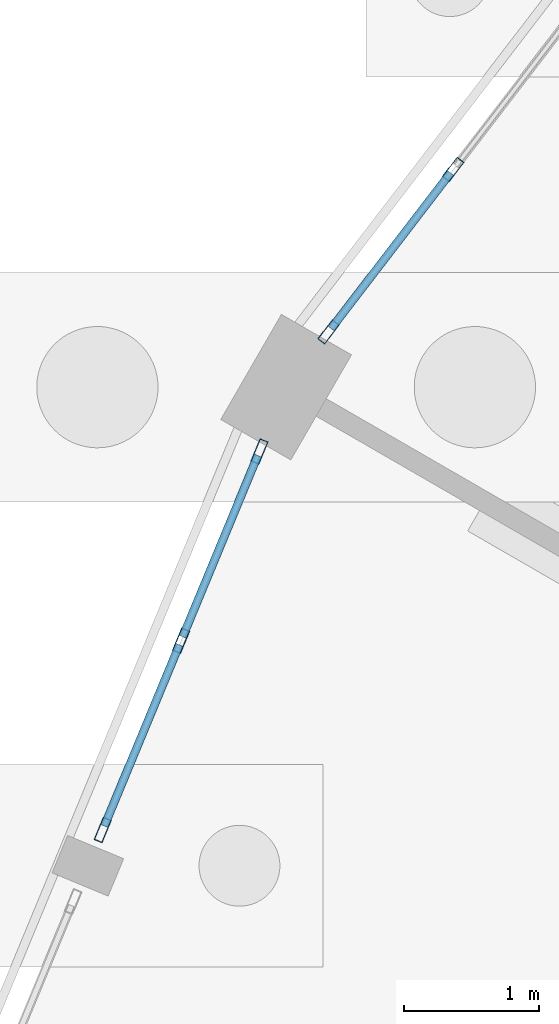
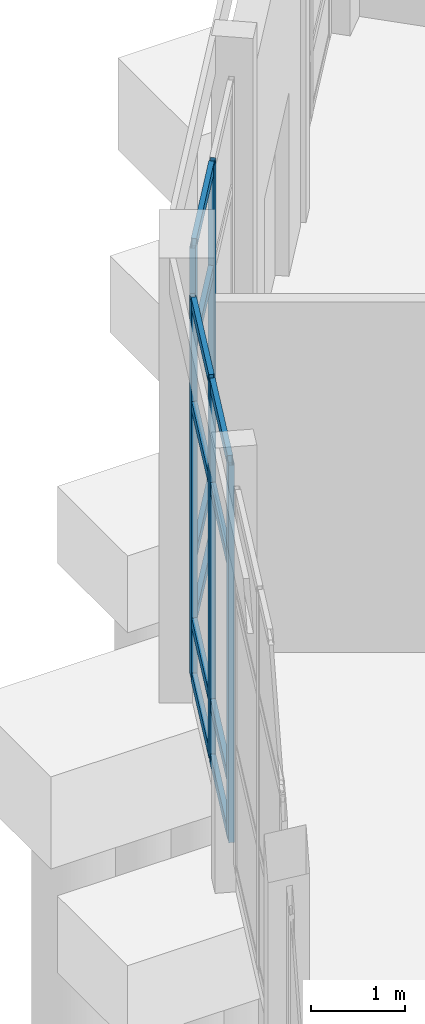
# One storey, part 51 of 137: 17 members, 2 elements without a shape of their own.
"""IFC4 building model written with IfcOpenShell, lengths in metres."""

from ifc_helpers import new_model, si_unit, direction, frame, origin, origin_2d, place, context, subcontext, project, spatial, hollow_rectangle, extrude, material, material_profile, profile_set, type_object, element, aggregate, save


model = new_model("IFC4")

# Units and contexts
model_context = context("Model", 3, precision=1e-05, world=origin(), true_north=direction((0.0, 1.0)))
body_context = subcontext(model_context, "Body", "Model", "MODEL_VIEW")
ifc_project = project(units=[si_unit("LENGTHUNIT", "METRE"), si_unit("AREAUNIT", "SQUARE_METRE"), si_unit("VOLUMEUNIT", "CUBIC_METRE"), si_unit("PLANEANGLEUNIT", "RADIAN"), si_unit("MASSUNIT", "GRAM", prefix="KILO")], contexts=[model_context])

# Site, building, storey
site_placement = place(None, origin())
site = spatial("IfcSite", under=ifc_project, at=site_placement, CompositionType="ELEMENT")
building_placement = place(site_placement, origin())
building = spatial("IfcBuilding", under=site, at=building_placement, Name="Vondelvale Polytechnic", CompositionType="ELEMENT")
storey_placement = place(building_placement, origin())
storey = spatial("IfcBuildingStorey", under=building, at=storey_placement, Name="L00", CompositionType="ELEMENT", Elevation=0.0)

# Curtain wall, members
ifc_material_1 = material(Name="Glulam GL18 structural Tasmanian oak (fb = 42 MPa)", Category="wood")
curtain_wall_type = type_object("IfcCurtainWallType", Name="CW-RING-OUTER", PredefinedType="NOTDEFINED", material=ifc_material_1)
curtain_wall_1_placement = place(storey_placement, origin())
curtain_wall_1 = element("IfcCurtainWall", 1, at=curtain_wall_1_placement, inside=storey, type_object=curtain_wall_type, Name="L00 architectural curtain wall CW-04-212", PredefinedType="NOTDEFINED")
ifc_material_2 = material(Name="Anodised extruded aluminium 6063-T6", Category="aluminium")
ifc_material_profile_1 = material_profile(ifc_material_2, hollow_rectangle(XDim=0.06494140625, YDim=0.179931640625, WallThickness=0.00390625, at=origin_2d()), Name="CW-MUL-180x65")
ifc_profile_set_1 = profile_set([ifc_material_profile_1], Name="Anodised extruded aluminium 6063-T6")
member_type_1 = type_object("IfcMemberType", Name="CW-MUL-65x180", PredefinedType="MULLION", material=ifc_profile_set_1)
member_1_placement = place(storey_placement, frame((63.402099609375, 96.615234375, 0.0), z_axis=(0.0, 0.0, 1.0), x_axis=(0.793351666305, -0.608763610584, 0.0)))
member_1 = element("IfcMember", 2, at=member_1_placement, type_object=member_type_1, Name="CW-04-212 mullion 2", PredefinedType="MULLION", context=body_context, shape_type="SweptSolid", body=[
    extrude(hollow_rectangle(XDim=0.06494140625, YDim=0.179931640625, WallThickness=0.00390625, at=origin_2d()), origin(), (0.0, 0.0, 1.0), 4.919921875),
])
member_2_placement = place(storey_placement, frame((62.477294921875, 95.40966796875, 0.0), z_axis=(0.0, 0.0, 1.0), x_axis=(0.793351666305, -0.608763610584, 0.0)))
member_2 = element("IfcMember", 3, at=member_2_placement, type_object=member_type_1, Name="CW-04-212 mullion 3", PredefinedType="MULLION", context=body_context, shape_type="SweptSolid", body=[
    extrude(hollow_rectangle(XDim=0.06494140625, YDim=0.179931640625, WallThickness=0.00390625, at=origin_2d()), origin(), (0.0, 0.0, 1.0), 4.919921875),
])

curtain_wall_2_placement = place(storey_placement, origin())
curtain_wall_2 = element("IfcCurtainWall", 4, at=curtain_wall_2_placement, inside=storey, type_object=curtain_wall_type, Name="L00 architectural curtain wall CW-04-226", PredefinedType="NOTDEFINED")
member_3_placement = place(storey_placement, frame((61.965087890625, 94.522705078125, 0.0), z_axis=(0.0, 0.0, 1.0), x_axis=(0.92388135159, -0.382679040691, 0.0)))
member_3 = element("IfcMember", 5, at=member_3_placement, type_object=member_type_1, Name="CW-04-226 mullion 1", PredefinedType="MULLION", context=body_context, shape_type="SweptSolid", body=[
    extrude(hollow_rectangle(XDim=0.06494140625, YDim=0.179931640625, WallThickness=0.00390625, at=origin_2d()), origin(), (0.0, 0.0, 1.0), 4.919921875),
])
member_4_placement = place(storey_placement, frame((61.3837890625, 93.119140625, 0.0), z_axis=(0.0, 0.0, 1.0), x_axis=(0.92388135159, -0.382679040691, 0.0)))
member_4 = element("IfcMember", 6, at=member_4_placement, type_object=member_type_1, Name="CW-04-226 mullion 2", PredefinedType="MULLION", context=body_context, shape_type="SweptSolid", body=[
    extrude(hollow_rectangle(XDim=0.06494140625, YDim=0.179931640625, WallThickness=0.00390625, at=origin_2d()), origin(), (0.0, 0.0, 1.0), 4.919921875),
])
member_5_placement = place(storey_placement, frame((60.80224609375, 91.71533203125, 0.0), z_axis=(0.0, 0.0, 1.0), x_axis=(0.92388135159, -0.382679040691, 0.0)))
member_5 = element("IfcMember", 7, at=member_5_placement, type_object=member_type_1, Name="CW-04-226 mullion 3", PredefinedType="MULLION", context=body_context, shape_type="SweptSolid", body=[
    extrude(hollow_rectangle(XDim=0.06494140625, YDim=0.179931640625, WallThickness=0.00390625, at=origin_2d()), origin(), (0.0, 0.0, 1.0), 4.919921875),
])

# Member
ifc_material_profile_2 = material_profile(ifc_material_2, hollow_rectangle(XDim=0.06005859375, YDim=0.139892578125, WallThickness=0.00341796875, at=origin_2d()), Name="CW-TRN-140x60")
ifc_profile_set_2 = profile_set([ifc_material_profile_2], Name="Anodised extruded aluminium 6063-T6")
member_type_2 = type_object("IfcMemberType", Name="CW-TRN-60x140", PredefinedType="USERDEFINED", material=ifc_profile_set_2)
member_6_placement = place(storey_placement, frame((63.38232421875, 96.58935546875, 0.030029296875), z_axis=(-0.608720500097, -0.793384744473, 0.0), x_axis=(0.793384744473, -0.608720500097, 0.0)))
member_6 = element("IfcMember", 8, at=member_6_placement, type_object=member_type_2, Name="CW-04-212 transom 2.1", ObjectType="TRANSOM", PredefinedType="USERDEFINED", context=body_context, shape_type="SweptSolid", body=[
    extrude(hollow_rectangle(XDim=0.06005859375, YDim=0.139892578125, WallThickness=0.00341796875, at=origin_2d()), origin(), (0.0, 0.0, 1.0), 1.454345703125),
])

member_7_placement = place(storey_placement, frame((63.38232421875, 96.58935546875, 0.85009765625), z_axis=(-0.608720500097, -0.793384744473, 0.0), x_axis=(0.793384744473, -0.608720500097, 0.0)))
member_7 = element("IfcMember", 9, at=member_7_placement, type_object=member_type_2, Name="CW-04-212 transom 2.2", ObjectType="TRANSOM", PredefinedType="USERDEFINED", context=body_context, shape_type="SweptSolid", body=[
    extrude(hollow_rectangle(XDim=0.06005859375, YDim=0.139892578125, WallThickness=0.00341796875, at=origin_2d()), origin(), (0.0, 0.0, 1.0), 1.454345703125),
])

member_8_placement = place(storey_placement, frame((63.38232421875, 96.58935546875, 3.570068359375), z_axis=(-0.608720500097, -0.793384744473, 0.0), x_axis=(0.793384744473, -0.608720500097, 0.0)))
member_8 = element("IfcMember", 10, at=member_8_placement, type_object=member_type_2, Name="CW-04-212 transom 2.3", ObjectType="TRANSOM", PredefinedType="USERDEFINED", context=body_context, shape_type="SweptSolid", body=[
    extrude(hollow_rectangle(XDim=0.06005859375, YDim=0.139892578125, WallThickness=0.00341796875, at=origin_2d()), origin(), (0.0, 0.0, 1.0), 1.454345703125),
])

member_9_placement = place(storey_placement, frame((63.38232421875, 96.58935546875, 4.889892578125), z_axis=(-0.608720500097, -0.793384744473, 0.0), x_axis=(0.793384744473, -0.608720500097, 0.0)))
member_9 = element("IfcMember", 11, at=member_9_placement, type_object=member_type_2, Name="CW-04-212 transom 2.4", ObjectType="TRANSOM", PredefinedType="USERDEFINED", context=body_context, shape_type="SweptSolid", body=[
    extrude(hollow_rectangle(XDim=0.06005859375, YDim=0.139892578125, WallThickness=0.00341796875, at=origin_2d()), origin(), (0.0, 0.0, 1.0), 1.454345703125),
])

aggregate(curtain_wall_1, [member_1, member_2, member_6, member_7, member_8, member_9])

member_10_placement = place(storey_placement, frame((61.95263671875, 94.49267578125, 0.030029296875), z_axis=(-0.38262364032, -0.92390429692, 0.0), x_axis=(0.92390429692, -0.38262364032, 0.0)))
member_10 = element("IfcMember", 12, at=member_10_placement, type_object=member_type_2, Name="CW-04-226 transom 1.1", ObjectType="TRANSOM", PredefinedType="USERDEFINED", context=body_context, shape_type="SweptSolid", body=[
    extrude(hollow_rectangle(XDim=0.06005859375, YDim=0.139892578125, WallThickness=0.00341796875, at=origin_2d()), origin(), (0.0, 0.0, 1.0), 1.4541015625),
])

member_11_placement = place(storey_placement, frame((61.95263671875, 94.49267578125, 0.75), z_axis=(-0.38262364032, -0.92390429692, 0.0), x_axis=(0.92390429692, -0.38262364032, 0.0)))
member_11 = element("IfcMember", 13, at=member_11_placement, type_object=member_type_2, Name="CW-04-226 transom 1.2", ObjectType="TRANSOM", PredefinedType="USERDEFINED", context=body_context, shape_type="SweptSolid", body=[
    extrude(hollow_rectangle(XDim=0.06005859375, YDim=0.139892578125, WallThickness=0.00341796875, at=origin_2d()), origin(), (0.0, 0.0, 1.0), 1.4541015625),
])

member_12_placement = place(storey_placement, frame((61.95263671875, 94.49267578125, 3.570068359375), z_axis=(-0.38262364032, -0.92390429692, 0.0), x_axis=(0.92390429692, -0.38262364032, 0.0)))
member_12 = element("IfcMember", 14, at=member_12_placement, type_object=member_type_2, Name="CW-04-226 transom 1.3", ObjectType="TRANSOM", PredefinedType="USERDEFINED", context=body_context, shape_type="SweptSolid", body=[
    extrude(hollow_rectangle(XDim=0.06005859375, YDim=0.139892578125, WallThickness=0.00341796875, at=origin_2d()), origin(), (0.0, 0.0, 1.0), 1.4541015625),
])

member_13_placement = place(storey_placement, frame((61.95263671875, 94.49267578125, 4.889892578125), z_axis=(-0.38262364032, -0.92390429692, 0.0), x_axis=(0.92390429692, -0.38262364032, 0.0)))
member_13 = element("IfcMember", 15, at=member_13_placement, type_object=member_type_2, Name="CW-04-226 transom 1.4", ObjectType="TRANSOM", PredefinedType="USERDEFINED", context=body_context, shape_type="SweptSolid", body=[
    extrude(hollow_rectangle(XDim=0.06005859375, YDim=0.139892578125, WallThickness=0.00341796875, at=origin_2d()), origin(), (0.0, 0.0, 1.0), 1.4541015625),
])

member_14_placement = place(storey_placement, frame((61.371337890625, 93.089111328125, 0.030029296875), z_axis=(-0.382707581205, -0.923869529365, 0.0), x_axis=(0.923869529365, -0.382707581205, 0.0)))
member_14 = element("IfcMember", 16, at=member_14_placement, type_object=member_type_2, Name="CW-04-226 transom 2.1", ObjectType="TRANSOM", PredefinedType="USERDEFINED", context=body_context, shape_type="SweptSolid", body=[
    extrude(hollow_rectangle(XDim=0.06005859375, YDim=0.139892578125, WallThickness=0.00341796875, at=origin_2d()), origin(), (0.0, 0.0, 1.0), 1.45458984375),
])

member_15_placement = place(storey_placement, frame((61.371337890625, 93.089111328125, 0.75), z_axis=(-0.382707581205, -0.923869529365, 0.0), x_axis=(0.923869529365, -0.382707581205, 0.0)))
member_15 = element("IfcMember", 17, at=member_15_placement, type_object=member_type_2, Name="CW-04-226 transom 2.2", ObjectType="TRANSOM", PredefinedType="USERDEFINED", context=body_context, shape_type="SweptSolid", body=[
    extrude(hollow_rectangle(XDim=0.06005859375, YDim=0.139892578125, WallThickness=0.00341796875, at=origin_2d()), origin(), (0.0, 0.0, 1.0), 1.45458984375),
])

member_16_placement = place(storey_placement, frame((61.371337890625, 93.089111328125, 3.570068359375), z_axis=(-0.382707581205, -0.923869529365, 0.0), x_axis=(0.923869529365, -0.382707581205, 0.0)))
member_16 = element("IfcMember", 18, at=member_16_placement, type_object=member_type_2, Name="CW-04-226 transom 2.3", ObjectType="TRANSOM", PredefinedType="USERDEFINED", context=body_context, shape_type="SweptSolid", body=[
    extrude(hollow_rectangle(XDim=0.06005859375, YDim=0.139892578125, WallThickness=0.00341796875, at=origin_2d()), origin(), (0.0, 0.0, 1.0), 1.45458984375),
])

member_17_placement = place(storey_placement, frame((61.371337890625, 93.089111328125, 4.889892578125), z_axis=(-0.382707581205, -0.923869529365, 0.0), x_axis=(0.923869529365, -0.382707581205, 0.0)))
member_17 = element("IfcMember", 19, at=member_17_placement, type_object=member_type_2, Name="CW-04-226 transom 2.4", ObjectType="TRANSOM", PredefinedType="USERDEFINED", context=body_context, shape_type="SweptSolid", body=[
    extrude(hollow_rectangle(XDim=0.06005859375, YDim=0.139892578125, WallThickness=0.00341796875, at=origin_2d()), origin(), (0.0, 0.0, 1.0), 1.45458984375),
])

aggregate(curtain_wall_2, [member_3, member_4, member_5, member_10, member_11, member_12, member_13, member_14, member_15, member_16, member_17])

save(model, "model.ifc")
